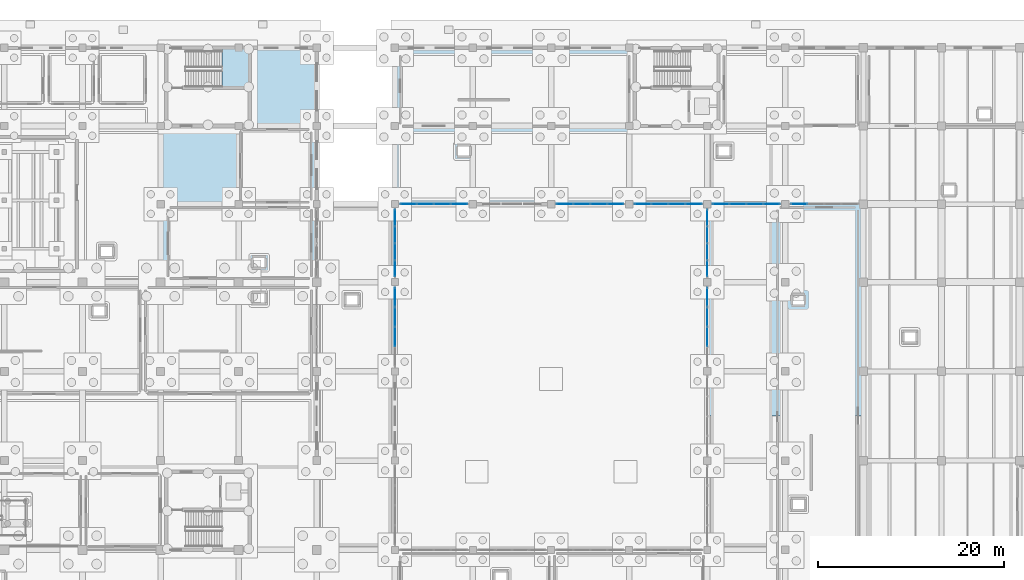
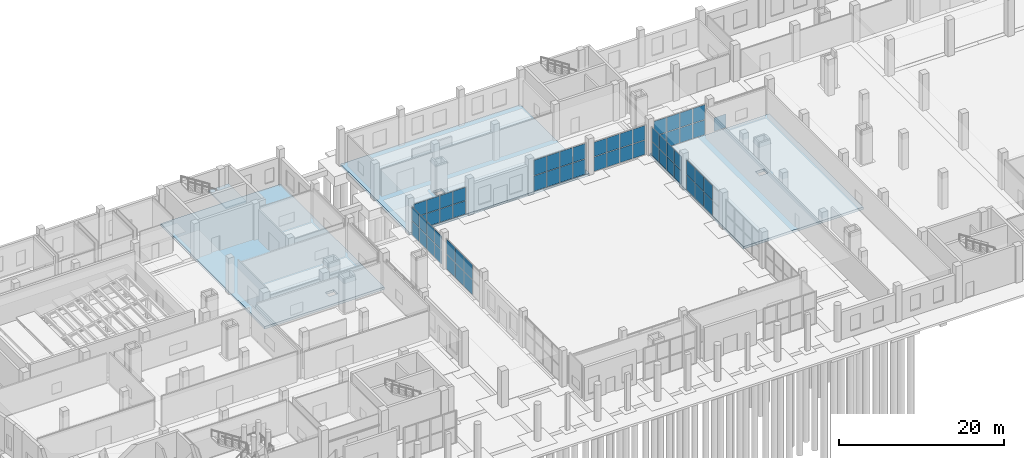
# One storey, part 34 of 65: 61 plates, 4 slabs, 10 elements without a shape of their own.
"""IFC4 building model written with IfcOpenShell, lengths in metres."""

from ifc_helpers import new_model, si_unit, direction, frame, origin, origin_2d, place, context, subcontext, project, spatial, polyline, rectangle, outline, extrude, material, layer, layer_set, type_object, element, aggregate, save


model = new_model("IFC4")

# Units and contexts
model_context = context("Model", 3, precision=1e-05, world=origin(), true_north=direction((0.0, 1.0)))
body_context = subcontext(model_context, "Body", "Model", "MODEL_VIEW")
ifc_project = project(units=[si_unit("LENGTHUNIT", "METRE"), si_unit("AREAUNIT", "SQUARE_METRE"), si_unit("VOLUMEUNIT", "CUBIC_METRE"), si_unit("PLANEANGLEUNIT", "RADIAN"), si_unit("MASSUNIT", "GRAM", prefix="KILO")], contexts=[model_context])

# Site, building, storey
site_placement = place(None, origin())
site = spatial("IfcSite", under=ifc_project, at=site_placement, CompositionType="ELEMENT")
building_placement = place(site_placement, origin())
building = spatial("IfcBuilding", under=site, at=building_placement, Name="Zulmaris Art Gallery", CompositionType="ELEMENT")
storey_placement = place(building_placement, origin())
storey = spatial("IfcBuildingStorey", under=building, at=storey_placement, Name="L00", CompositionType="ELEMENT", Elevation=0.0)

# Curtain wall, plates
ifc_material_1 = material(Name="Cloister & Court Glazed Curtain Wall", Category="aluminium")
ifc_layer_1 = layer(ifc_material_1, 0.179931640625)
ifc_layer_set_1 = layer_set([ifc_layer_1], Name="Cloister & Court Glazed Curtain Wall")
curtain_wall_type_1 = type_object("IfcCurtainWallType", Name="CW-CW03", PredefinedType="NOTDEFINED", material=ifc_layer_set_1)
curtain_wall_1_placement = place(storey_placement, origin())
curtain_wall_1 = element("IfcCurtainWall", 1, at=curtain_wall_1_placement, inside=storey, type_object=curtain_wall_type_1, Name="L00 curtain wall 68", PredefinedType="NOTDEFINED")
ifc_material_2 = material(Name="Triple Solar-Control Laminated Glass", Category="glass")
ifc_layer_2 = layer(ifc_material_2, 0.035888671875)
ifc_layer_set_2 = layer_set([ifc_layer_2], Name="Triple Solar-Control Laminated Glass")
plate_type = type_object("IfcPlateType", Name="CWPAN-GLZ", PredefinedType="CURTAIN_PANEL", material=ifc_layer_set_2)
plate_1_placement = place(storey_placement, frame((91.199951171875, 48.7763671875, 0.074951171875), z_axis=(0.0, 0.0, 1.0), x_axis=(0.0, -1.0, 0.0)))
plate_1 = element("IfcPlate", 2, at=plate_1_placement, type_object=plate_type, Name="CW03 panel 1.1", PredefinedType="CURTAIN_PANEL", context=body_context, shape_type="SweptSolid", body=[
    extrude(rectangle(XDim=2.017578125, YDim=0.031982421875, at=origin_2d()), origin(), (0.0, 0.0, 1.0), 2.1826171875),
])
plate_2_placement = place(storey_placement, frame((91.199951171875, 48.7763671875, 2.33251953125), z_axis=(0.0, 0.0, 1.0), x_axis=(0.0, -1.0, 0.0)))
plate_2 = element("IfcPlate", 3, at=plate_2_placement, type_object=plate_type, Name="CW03 panel 1.2", PredefinedType="CURTAIN_PANEL", context=body_context, shape_type="SweptSolid", body=[
    extrude(rectangle(XDim=2.017578125, YDim=0.031982421875, at=origin_2d()), origin(), (0.0, 0.0, 1.0), 2.1826171875),
])
plate_3_placement = place(storey_placement, frame((91.199951171875, 46.6650390625, 0.074951171875), z_axis=(0.0, 0.0, 1.0), x_axis=(0.0, -1.0, 0.0)))
plate_3 = element("IfcPlate", 4, at=plate_3_placement, type_object=plate_type, Name="CW03 panel 2.1", PredefinedType="CURTAIN_PANEL", context=body_context, shape_type="SweptSolid", body=[
    extrude(rectangle(XDim=2.054931640625, YDim=0.031982421875, at=origin_2d()), origin(), (0.0, 0.0, 1.0), 2.1826171875),
])
plate_4_placement = place(storey_placement, frame((91.199951171875, 46.6650390625, 2.33251953125), z_axis=(0.0, 0.0, 1.0), x_axis=(0.0, -1.0, 0.0)))
plate_4 = element("IfcPlate", 5, at=plate_4_placement, type_object=plate_type, Name="CW03 panel 2.2", PredefinedType="CURTAIN_PANEL", context=body_context, shape_type="SweptSolid", body=[
    extrude(rectangle(XDim=2.054931640625, YDim=0.031982421875, at=origin_2d()), origin(), (0.0, 0.0, 1.0), 2.1826171875),
])
plate_5_placement = place(storey_placement, frame((91.199951171875, 44.534912109375, 0.074951171875), z_axis=(0.0, 0.0, 1.0), x_axis=(0.0, -1.0, 0.0)))
plate_5 = element("IfcPlate", 6, at=plate_5_placement, type_object=plate_type, Name="CW03 panel 3.1", PredefinedType="CURTAIN_PANEL", context=body_context, shape_type="SweptSolid", body=[
    extrude(rectangle(XDim=2.054931640625, YDim=0.031982421875, at=origin_2d()), origin(), (0.0, 0.0, 1.0), 2.1826171875),
])
plate_6_placement = place(storey_placement, frame((91.199951171875, 44.534912109375, 2.33251953125), z_axis=(0.0, 0.0, 1.0), x_axis=(0.0, -1.0, 0.0)))
plate_6 = element("IfcPlate", 7, at=plate_6_placement, type_object=plate_type, Name="CW03 panel 3.2", PredefinedType="CURTAIN_PANEL", context=body_context, shape_type="SweptSolid", body=[
    extrude(rectangle(XDim=2.054931640625, YDim=0.031982421875, at=origin_2d()), origin(), (0.0, 0.0, 1.0), 2.1826171875),
])
aggregate(curtain_wall_1, [plate_1, plate_2, plate_3, plate_4, plate_5, plate_6])

curtain_wall_2_placement = place(storey_placement, origin())
curtain_wall_2 = element("IfcCurtainWall", 8, at=curtain_wall_2_placement, inside=storey, type_object=curtain_wall_type_1, Name="L00 curtain wall 70", PredefinedType="NOTDEFINED")
plate_7_placement = place(storey_placement, frame((91.199951171875, 57.326171875, 0.0751953125), z_axis=(0.0, 0.0, 1.0), x_axis=(0.0, -1.0, 0.0)))
plate_7 = element("IfcPlate", 9, at=plate_7_placement, type_object=plate_type, Name="CW03 panel 1.1", PredefinedType="CURTAIN_PANEL", context=body_context, shape_type="SweptSolid", body=[
    extrude(rectangle(XDim=1.717529296875, YDim=0.031982421875, at=origin_2d()), origin(), (0.0, 0.0, 1.0), 2.032470703125),
])
plate_8_placement = place(storey_placement, frame((91.199951171875, 57.326171875, 2.1826171875), z_axis=(0.0, 0.0, 1.0), x_axis=(0.0, -1.0, 0.0)))
plate_8 = element("IfcPlate", 10, at=plate_8_placement, type_object=plate_type, Name="CW03 panel 1.2", PredefinedType="CURTAIN_PANEL", context=body_context, shape_type="SweptSolid", body=[
    extrude(rectangle(XDim=1.717529296875, YDim=0.031982421875, at=origin_2d()), origin(), (0.0, 0.0, 1.0), 2.032470703125),
])
plate_9_placement = place(storey_placement, frame((91.199951171875, 55.514892578125, 0.0751953125), z_axis=(0.0, 0.0, 1.0), x_axis=(0.0, -1.0, 0.0)))
plate_9 = element("IfcPlate", 11, at=plate_9_placement, type_object=plate_type, Name="CW03 panel 2.1", PredefinedType="CURTAIN_PANEL", context=body_context, shape_type="SweptSolid", body=[
    extrude(rectangle(XDim=1.7548828125, YDim=0.031982421875, at=origin_2d()), origin(), (0.0, 0.0, 1.0), 2.032470703125),
])
plate_10_placement = place(storey_placement, frame((91.199951171875, 55.514892578125, 2.1826171875), z_axis=(0.0, 0.0, 1.0), x_axis=(0.0, -1.0, 0.0)))
plate_10 = element("IfcPlate", 12, at=plate_10_placement, type_object=plate_type, Name="CW03 panel 2.2", PredefinedType="CURTAIN_PANEL", context=body_context, shape_type="SweptSolid", body=[
    extrude(rectangle(XDim=1.7548828125, YDim=0.031982421875, at=origin_2d()), origin(), (0.0, 0.0, 1.0), 2.032470703125),
])
plate_11_placement = place(storey_placement, frame((91.199951171875, 53.68505859375, 0.0751953125), z_axis=(0.0, 0.0, 1.0), x_axis=(0.0, -1.0, 0.0)))
plate_11 = element("IfcPlate", 13, at=plate_11_placement, type_object=plate_type, Name="CW03 panel 3.1", PredefinedType="CURTAIN_PANEL", context=body_context, shape_type="SweptSolid", body=[
    extrude(rectangle(XDim=1.7548828125, YDim=0.031982421875, at=origin_2d()), origin(), (0.0, 0.0, 1.0), 2.032470703125),
])
plate_12_placement = place(storey_placement, frame((91.199951171875, 53.68505859375, 2.1826171875), z_axis=(0.0, 0.0, 1.0), x_axis=(0.0, -1.0, 0.0)))
plate_12 = element("IfcPlate", 14, at=plate_12_placement, type_object=plate_type, Name="CW03 panel 3.2", PredefinedType="CURTAIN_PANEL", context=body_context, shape_type="SweptSolid", body=[
    extrude(rectangle(XDim=1.7548828125, YDim=0.031982421875, at=origin_2d()), origin(), (0.0, 0.0, 1.0), 2.032470703125),
])
plate_13_placement = place(storey_placement, frame((91.199951171875, 51.873779296875, 0.0751953125), z_axis=(0.0, 0.0, 1.0), x_axis=(0.0, -1.0, 0.0)))
plate_13 = element("IfcPlate", 15, at=plate_13_placement, type_object=plate_type, Name="CW03 panel 4.1", PredefinedType="CURTAIN_PANEL", context=body_context, shape_type="SweptSolid", body=[
    extrude(rectangle(XDim=1.717529296875, YDim=0.031982421875, at=origin_2d()), origin(), (0.0, 0.0, 1.0), 2.032470703125),
])
plate_14_placement = place(storey_placement, frame((91.199951171875, 51.873779296875, 2.1826171875), z_axis=(0.0, 0.0, 1.0), x_axis=(0.0, -1.0, 0.0)))
plate_14 = element("IfcPlate", 16, at=plate_14_placement, type_object=plate_type, Name="CW03 panel 4.2", PredefinedType="CURTAIN_PANEL", context=body_context, shape_type="SweptSolid", body=[
    extrude(rectangle(XDim=1.717529296875, YDim=0.031982421875, at=origin_2d()), origin(), (0.0, 0.0, 1.0), 2.032470703125),
])
aggregate(curtain_wall_2, [plate_7, plate_8, plate_9, plate_10, plate_11, plate_12, plate_13, plate_14])

ifc_material_3 = material(Name="Unitised Low-E Gallery Curtain Wall", Category="aluminium")
ifc_layer_3 = layer(ifc_material_3, 0.179931640625)
ifc_layer_set_3 = layer_set([ifc_layer_3], Name="Unitised Low-E Gallery Curtain Wall")
curtain_wall_type_2 = type_object("IfcCurtainWallType", Name="CW-CW01", PredefinedType="NOTDEFINED", material=ifc_layer_set_3)
curtain_wall_3_placement = place(storey_placement, origin())
curtain_wall_3 = element("IfcCurtainWall", 17, at=curtain_wall_3_placement, inside=storey, type_object=curtain_wall_type_2, Name="L00 curtain wall 85", PredefinedType="NOTDEFINED")
plate_15_placement = place(storey_placement, frame((92.673828125, 58.800048828125, 0.074951171875), z_axis=(0.0, 0.0, 1.0), x_axis=(1.0, 0.0, 0.0)))
plate_15 = element("IfcPlate", 18, at=plate_15_placement, type_object=plate_type, Name="CW01 panel 1.1", PredefinedType="CURTAIN_PANEL", context=body_context, shape_type="SweptSolid", body=[
    extrude(rectangle(XDim=1.717529296875, YDim=0.031982421875, at=origin_2d()), origin(), (0.0, 0.0, 1.0), 1.9326171875),
])
plate_16_placement = place(storey_placement, frame((92.673828125, 58.800048828125, 2.08251953125), z_axis=(0.0, 0.0, 1.0), x_axis=(1.0, 0.0, 0.0)))
plate_16 = element("IfcPlate", 19, at=plate_16_placement, type_object=plate_type, Name="CW01 panel 1.2", PredefinedType="CURTAIN_PANEL", context=body_context, shape_type="SweptSolid", body=[
    extrude(rectangle(XDim=1.717529296875, YDim=0.031982421875, at=origin_2d()), origin(), (0.0, 0.0, 1.0), 1.9326171875),
])
plate_17_placement = place(storey_placement, frame((94.485107421875, 58.800048828125, 0.074951171875), z_axis=(0.0, 0.0, 1.0), x_axis=(1.0, 0.0, 0.0)))
plate_17 = element("IfcPlate", 20, at=plate_17_placement, type_object=plate_type, Name="CW01 panel 2.1", PredefinedType="CURTAIN_PANEL", context=body_context, shape_type="SweptSolid", body=[
    extrude(rectangle(XDim=1.7548828125, YDim=0.031982421875, at=origin_2d()), origin(), (0.0, 0.0, 1.0), 1.9326171875),
])
plate_18_placement = place(storey_placement, frame((94.485107421875, 58.800048828125, 2.08251953125), z_axis=(0.0, 0.0, 1.0), x_axis=(1.0, 0.0, 0.0)))
plate_18 = element("IfcPlate", 21, at=plate_18_placement, type_object=plate_type, Name="CW01 panel 2.2", PredefinedType="CURTAIN_PANEL", context=body_context, shape_type="SweptSolid", body=[
    extrude(rectangle(XDim=1.7548828125, YDim=0.031982421875, at=origin_2d()), origin(), (0.0, 0.0, 1.0), 1.9326171875),
])
plate_19_placement = place(storey_placement, frame((96.31494140625, 58.800048828125, 0.074951171875), z_axis=(0.0, 0.0, 1.0), x_axis=(1.0, 0.0, 0.0)))
plate_19 = element("IfcPlate", 22, at=plate_19_placement, type_object=plate_type, Name="CW01 panel 3.1", PredefinedType="CURTAIN_PANEL", context=body_context, shape_type="SweptSolid", body=[
    extrude(rectangle(XDim=1.7548828125, YDim=0.031982421875, at=origin_2d()), origin(), (0.0, 0.0, 1.0), 1.9326171875),
])
plate_20_placement = place(storey_placement, frame((96.31494140625, 58.800048828125, 2.08251953125), z_axis=(0.0, 0.0, 1.0), x_axis=(1.0, 0.0, 0.0)))
plate_20 = element("IfcPlate", 23, at=plate_20_placement, type_object=plate_type, Name="CW01 panel 3.2", PredefinedType="CURTAIN_PANEL", context=body_context, shape_type="SweptSolid", body=[
    extrude(rectangle(XDim=1.7548828125, YDim=0.031982421875, at=origin_2d()), origin(), (0.0, 0.0, 1.0), 1.9326171875),
])
plate_21_placement = place(storey_placement, frame((98.126220703125, 58.800048828125, 0.074951171875), z_axis=(0.0, 0.0, 1.0), x_axis=(1.0, 0.0, 0.0)))
plate_21 = element("IfcPlate", 24, at=plate_21_placement, type_object=plate_type, Name="CW01 panel 4.1", PredefinedType="CURTAIN_PANEL", context=body_context, shape_type="SweptSolid", body=[
    extrude(rectangle(XDim=1.717529296875, YDim=0.031982421875, at=origin_2d()), origin(), (0.0, 0.0, 1.0), 1.9326171875),
])
plate_22_placement = place(storey_placement, frame((98.126220703125, 58.800048828125, 2.08251953125), z_axis=(0.0, 0.0, 1.0), x_axis=(1.0, 0.0, 0.0)))
plate_22 = element("IfcPlate", 25, at=plate_22_placement, type_object=plate_type, Name="CW01 panel 4.2", PredefinedType="CURTAIN_PANEL", context=body_context, shape_type="SweptSolid", body=[
    extrude(rectangle(XDim=1.717529296875, YDim=0.031982421875, at=origin_2d()), origin(), (0.0, 0.0, 1.0), 1.9326171875),
])
aggregate(curtain_wall_3, [plate_15, plate_16, plate_17, plate_18, plate_19, plate_20, plate_21, plate_22])

curtain_wall_4_placement = place(storey_placement, origin())
curtain_wall_4 = element("IfcCurtainWall", 26, at=curtain_wall_4_placement, inside=storey, type_object=curtain_wall_type_2, Name="L00 curtain wall 86", PredefinedType="NOTDEFINED")
plate_23_placement = place(storey_placement, frame((109.4736328125, 58.800048828125, 0.0751953125), z_axis=(0.0, 0.0, 1.0), x_axis=(1.0, 0.0, 0.0)))
plate_23 = element("IfcPlate", 27, at=plate_23_placement, type_object=plate_type, Name="CW01 panel 1.1", PredefinedType="CURTAIN_PANEL", context=body_context, shape_type="SweptSolid", body=[
    extrude(rectangle(XDim=1.717529296875, YDim=0.031982421875, at=origin_2d()), origin(), (0.0, 0.0, 1.0), 2.242431640625),
])
plate_24_placement = place(storey_placement, frame((109.4736328125, 58.800048828125, 2.392578125), z_axis=(0.0, 0.0, 1.0), x_axis=(1.0, 0.0, 0.0)))
plate_24 = element("IfcPlate", 28, at=plate_24_placement, type_object=plate_type, Name="CW01 panel 1.2", PredefinedType="CURTAIN_PANEL", context=body_context, shape_type="SweptSolid", body=[
    extrude(rectangle(XDim=1.717529296875, YDim=0.031982421875, at=origin_2d()), origin(), (0.0, 0.0, 1.0), 2.242431640625),
])
plate_25_placement = place(storey_placement, frame((111.284912109375, 58.800048828125, 0.0751953125), z_axis=(0.0, 0.0, 1.0), x_axis=(1.0, 0.0, 0.0)))
plate_25 = element("IfcPlate", 29, at=plate_25_placement, type_object=plate_type, Name="CW01 panel 2.1", PredefinedType="CURTAIN_PANEL", context=body_context, shape_type="SweptSolid", body=[
    extrude(rectangle(XDim=1.7548828125, YDim=0.031982421875, at=origin_2d()), origin(), (0.0, 0.0, 1.0), 2.242431640625),
])
plate_26_placement = place(storey_placement, frame((111.284912109375, 58.800048828125, 2.392578125), z_axis=(0.0, 0.0, 1.0), x_axis=(1.0, 0.0, 0.0)))
plate_26 = element("IfcPlate", 30, at=plate_26_placement, type_object=plate_type, Name="CW01 panel 2.2", PredefinedType="CURTAIN_PANEL", context=body_context, shape_type="SweptSolid", body=[
    extrude(rectangle(XDim=1.7548828125, YDim=0.031982421875, at=origin_2d()), origin(), (0.0, 0.0, 1.0), 2.242431640625),
])
plate_27_placement = place(storey_placement, frame((113.114990234375, 58.800048828125, 0.0751953125), z_axis=(0.0, 0.0, 1.0), x_axis=(1.0, 0.0, 0.0)))
plate_27 = element("IfcPlate", 31, at=plate_27_placement, type_object=plate_type, Name="CW01 panel 3.1", PredefinedType="CURTAIN_PANEL", context=body_context, shape_type="SweptSolid", body=[
    extrude(rectangle(XDim=1.7548828125, YDim=0.031982421875, at=origin_2d()), origin(), (0.0, 0.0, 1.0), 2.242431640625),
])
plate_28_placement = place(storey_placement, frame((113.114990234375, 58.800048828125, 2.392578125), z_axis=(0.0, 0.0, 1.0), x_axis=(1.0, 0.0, 0.0)))
plate_28 = element("IfcPlate", 32, at=plate_28_placement, type_object=plate_type, Name="CW01 panel 3.2", PredefinedType="CURTAIN_PANEL", context=body_context, shape_type="SweptSolid", body=[
    extrude(rectangle(XDim=1.7548828125, YDim=0.031982421875, at=origin_2d()), origin(), (0.0, 0.0, 1.0), 2.242431640625),
])
plate_29_placement = place(storey_placement, frame((114.92626953125, 58.800048828125, 0.0751953125), z_axis=(0.0, 0.0, 1.0), x_axis=(1.0, 0.0, 0.0)))
plate_29 = element("IfcPlate", 33, at=plate_29_placement, type_object=plate_type, Name="CW01 panel 4.1", PredefinedType="CURTAIN_PANEL", context=body_context, shape_type="SweptSolid", body=[
    extrude(rectangle(XDim=1.717529296875, YDim=0.031982421875, at=origin_2d()), origin(), (0.0, 0.0, 1.0), 2.242431640625),
])
plate_30_placement = place(storey_placement, frame((114.92626953125, 58.800048828125, 2.392578125), z_axis=(0.0, 0.0, 1.0), x_axis=(1.0, 0.0, 0.0)))
plate_30 = element("IfcPlate", 34, at=plate_30_placement, type_object=plate_type, Name="CW01 panel 4.2", PredefinedType="CURTAIN_PANEL", context=body_context, shape_type="SweptSolid", body=[
    extrude(rectangle(XDim=1.717529296875, YDim=0.031982421875, at=origin_2d()), origin(), (0.0, 0.0, 1.0), 2.242431640625),
])
aggregate(curtain_wall_4, [plate_23, plate_24, plate_25, plate_26, plate_27, plate_28, plate_29, plate_30])

curtain_wall_5_placement = place(storey_placement, origin())
curtain_wall_5 = element("IfcCurtainWall", 35, at=curtain_wall_5_placement, inside=storey, type_object=curtain_wall_type_2, Name="L00 curtain wall 87", PredefinedType="NOTDEFINED")
plate_31_placement = place(storey_placement, frame((117.873779296875, 58.800048828125, 0.074951171875), z_axis=(0.0, 0.0, 1.0), x_axis=(1.0, 0.0, 0.0)))
plate_31 = element("IfcPlate", 36, at=plate_31_placement, type_object=plate_type, Name="CW01 panel 1.1", PredefinedType="CURTAIN_PANEL", context=body_context, shape_type="SweptSolid", body=[
    extrude(rectangle(XDim=1.717529296875, YDim=0.031982421875, at=origin_2d()), origin(), (0.0, 0.0, 1.0), 2.107421875),
])
plate_32_placement = place(storey_placement, frame((117.873779296875, 58.800048828125, 2.257568359375), z_axis=(0.0, 0.0, 1.0), x_axis=(1.0, 0.0, 0.0)))
plate_32 = element("IfcPlate", 37, at=plate_32_placement, type_object=plate_type, Name="CW01 panel 1.2", PredefinedType="CURTAIN_PANEL", context=body_context, shape_type="SweptSolid", body=[
    extrude(rectangle(XDim=1.717529296875, YDim=0.031982421875, at=origin_2d()), origin(), (0.0, 0.0, 1.0), 2.107421875),
])
plate_33_placement = place(storey_placement, frame((119.68505859375, 58.800048828125, 0.074951171875), z_axis=(0.0, 0.0, 1.0), x_axis=(1.0, 0.0, 0.0)))
plate_33 = element("IfcPlate", 38, at=plate_33_placement, type_object=plate_type, Name="CW01 panel 2.1", PredefinedType="CURTAIN_PANEL", context=body_context, shape_type="SweptSolid", body=[
    extrude(rectangle(XDim=1.7548828125, YDim=0.031982421875, at=origin_2d()), origin(), (0.0, 0.0, 1.0), 2.107421875),
])
plate_34_placement = place(storey_placement, frame((119.68505859375, 58.800048828125, 2.257568359375), z_axis=(0.0, 0.0, 1.0), x_axis=(1.0, 0.0, 0.0)))
plate_34 = element("IfcPlate", 39, at=plate_34_placement, type_object=plate_type, Name="CW01 panel 2.2", PredefinedType="CURTAIN_PANEL", context=body_context, shape_type="SweptSolid", body=[
    extrude(rectangle(XDim=1.7548828125, YDim=0.031982421875, at=origin_2d()), origin(), (0.0, 0.0, 1.0), 2.107421875),
])
plate_35_placement = place(storey_placement, frame((121.514892578125, 58.800048828125, 0.074951171875), z_axis=(0.0, 0.0, 1.0), x_axis=(1.0, 0.0, 0.0)))
plate_35 = element("IfcPlate", 40, at=plate_35_placement, type_object=plate_type, Name="CW01 panel 3.1", PredefinedType="CURTAIN_PANEL", context=body_context, shape_type="SweptSolid", body=[
    extrude(rectangle(XDim=1.7548828125, YDim=0.031982421875, at=origin_2d()), origin(), (0.0, 0.0, 1.0), 2.107421875),
])
plate_36_placement = place(storey_placement, frame((121.514892578125, 58.800048828125, 2.257568359375), z_axis=(0.0, 0.0, 1.0), x_axis=(1.0, 0.0, 0.0)))
plate_36 = element("IfcPlate", 41, at=plate_36_placement, type_object=plate_type, Name="CW01 panel 3.2", PredefinedType="CURTAIN_PANEL", context=body_context, shape_type="SweptSolid", body=[
    extrude(rectangle(XDim=1.7548828125, YDim=0.031982421875, at=origin_2d()), origin(), (0.0, 0.0, 1.0), 2.107421875),
])
plate_37_placement = place(storey_placement, frame((123.326171875, 58.800048828125, 0.074951171875), z_axis=(0.0, 0.0, 1.0), x_axis=(1.0, 0.0, 0.0)))
plate_37 = element("IfcPlate", 42, at=plate_37_placement, type_object=plate_type, Name="CW01 panel 4.1", PredefinedType="CURTAIN_PANEL", context=body_context, shape_type="SweptSolid", body=[
    extrude(rectangle(XDim=1.717529296875, YDim=0.031982421875, at=origin_2d()), origin(), (0.0, 0.0, 1.0), 2.107421875),
])
plate_38_placement = place(storey_placement, frame((123.326171875, 58.800048828125, 2.257568359375), z_axis=(0.0, 0.0, 1.0), x_axis=(1.0, 0.0, 0.0)))
plate_38 = element("IfcPlate", 43, at=plate_38_placement, type_object=plate_type, Name="CW01 panel 4.2", PredefinedType="CURTAIN_PANEL", context=body_context, shape_type="SweptSolid", body=[
    extrude(rectangle(XDim=1.717529296875, YDim=0.031982421875, at=origin_2d()), origin(), (0.0, 0.0, 1.0), 2.107421875),
])
aggregate(curtain_wall_5, [plate_31, plate_32, plate_33, plate_34, plate_35, plate_36, plate_37, plate_38])

curtain_wall_6_placement = place(storey_placement, origin())
curtain_wall_6 = element("IfcCurtainWall", 44, at=curtain_wall_6_placement, inside=storey, type_object=curtain_wall_type_2, Name="L00 curtain wall 88", PredefinedType="NOTDEFINED")
plate_39_placement = place(storey_placement, frame((126.273681640625, 58.800048828125, 0.074951171875), z_axis=(0.0, 0.0, 1.0), x_axis=(1.0, 0.0, 0.0)))
plate_39 = element("IfcPlate", 45, at=plate_39_placement, type_object=plate_type, Name="CW01 panel 1.1", PredefinedType="CURTAIN_PANEL", context=body_context, shape_type="SweptSolid", body=[
    extrude(rectangle(XDim=1.717529296875, YDim=0.031982421875, at=origin_2d()), origin(), (0.0, 0.0, 1.0), 2.1826171875),
])
plate_40_placement = place(storey_placement, frame((126.273681640625, 58.800048828125, 2.33251953125), z_axis=(0.0, 0.0, 1.0), x_axis=(1.0, 0.0, 0.0)))
plate_40 = element("IfcPlate", 46, at=plate_40_placement, type_object=plate_type, Name="CW01 panel 1.2", PredefinedType="CURTAIN_PANEL", context=body_context, shape_type="SweptSolid", body=[
    extrude(rectangle(XDim=1.717529296875, YDim=0.031982421875, at=origin_2d()), origin(), (0.0, 0.0, 1.0), 2.1826171875),
])
plate_41_placement = place(storey_placement, frame((128.0849609375, 58.800048828125, 0.074951171875), z_axis=(0.0, 0.0, 1.0), x_axis=(1.0, 0.0, 0.0)))
plate_41 = element("IfcPlate", 47, at=plate_41_placement, type_object=plate_type, Name="CW01 panel 2.1", PredefinedType="CURTAIN_PANEL", context=body_context, shape_type="SweptSolid", body=[
    extrude(rectangle(XDim=1.7548828125, YDim=0.031982421875, at=origin_2d()), origin(), (0.0, 0.0, 1.0), 2.1826171875),
])
plate_42_placement = place(storey_placement, frame((128.0849609375, 58.800048828125, 2.33251953125), z_axis=(0.0, 0.0, 1.0), x_axis=(1.0, 0.0, 0.0)))
plate_42 = element("IfcPlate", 48, at=plate_42_placement, type_object=plate_type, Name="CW01 panel 2.2", PredefinedType="CURTAIN_PANEL", context=body_context, shape_type="SweptSolid", body=[
    extrude(rectangle(XDim=1.7548828125, YDim=0.031982421875, at=origin_2d()), origin(), (0.0, 0.0, 1.0), 2.1826171875),
])
plate_43_placement = place(storey_placement, frame((129.9150390625, 58.800048828125, 0.074951171875), z_axis=(0.0, 0.0, 1.0), x_axis=(1.0, 0.0, 0.0)))
plate_43 = element("IfcPlate", 49, at=plate_43_placement, type_object=plate_type, Name="CW01 panel 3.1", PredefinedType="CURTAIN_PANEL", context=body_context, shape_type="SweptSolid", body=[
    extrude(rectangle(XDim=1.7548828125, YDim=0.031982421875, at=origin_2d()), origin(), (0.0, 0.0, 1.0), 2.1826171875),
])
plate_44_placement = place(storey_placement, frame((129.9150390625, 58.800048828125, 2.33251953125), z_axis=(0.0, 0.0, 1.0), x_axis=(1.0, 0.0, 0.0)))
plate_44 = element("IfcPlate", 50, at=plate_44_placement, type_object=plate_type, Name="CW01 panel 3.2", PredefinedType="CURTAIN_PANEL", context=body_context, shape_type="SweptSolid", body=[
    extrude(rectangle(XDim=1.7548828125, YDim=0.031982421875, at=origin_2d()), origin(), (0.0, 0.0, 1.0), 2.1826171875),
])
plate_45_placement = place(storey_placement, frame((131.726318359375, 58.800048828125, 0.074951171875), z_axis=(0.0, 0.0, 1.0), x_axis=(1.0, 0.0, 0.0)))
plate_45 = element("IfcPlate", 51, at=plate_45_placement, type_object=plate_type, Name="CW01 panel 4.1", PredefinedType="CURTAIN_PANEL", context=body_context, shape_type="SweptSolid", body=[
    extrude(rectangle(XDim=1.717529296875, YDim=0.031982421875, at=origin_2d()), origin(), (0.0, 0.0, 1.0), 2.1826171875),
])
plate_46_placement = place(storey_placement, frame((131.726318359375, 58.800048828125, 2.33251953125), z_axis=(0.0, 0.0, 1.0), x_axis=(1.0, 0.0, 0.0)))
plate_46 = element("IfcPlate", 52, at=plate_46_placement, type_object=plate_type, Name="CW01 panel 4.2", PredefinedType="CURTAIN_PANEL", context=body_context, shape_type="SweptSolid", body=[
    extrude(rectangle(XDim=1.717529296875, YDim=0.031982421875, at=origin_2d()), origin(), (0.0, 0.0, 1.0), 2.1826171875),
])
aggregate(curtain_wall_6, [plate_39, plate_40, plate_41, plate_42, plate_43, plate_44, plate_45, plate_46])

# Curtain wall, plate
curtain_wall_7_placement = place(storey_placement, origin())
curtain_wall_7 = element("IfcCurtainWall", 53, at=curtain_wall_7_placement, inside=storey, type_object=curtain_wall_type_2, Name="L00 curtain wall 89", PredefinedType="NOTDEFINED")
plate_47_placement = place(storey_placement, frame((134.673828125, 58.800048828125, 0.0751953125), z_axis=(0.0, 0.0, 1.0), x_axis=(1.0, 0.0, 0.0)))
plate_47 = element("IfcPlate", 54, at=plate_47_placement, type_object=plate_type, Name="CW01 panel 1.1", PredefinedType="CURTAIN_PANEL", context=body_context, shape_type="SweptSolid", body=[
    extrude(rectangle(XDim=1.717529296875, YDim=0.031982421875, at=origin_2d()), origin(), (0.0, 0.0, 1.0), 2.032470703125),
])
aggregate(curtain_wall_7, [plate_47])

# Curtain wall, plates
curtain_wall_8_placement = place(storey_placement, origin())
curtain_wall_8 = element("IfcCurtainWall", 55, at=curtain_wall_8_placement, inside=storey, type_object=curtain_wall_type_2, Name="L00 curtain wall 92", PredefinedType="NOTDEFINED")
plate_48_placement = place(storey_placement, frame((124.800048828125, 44.534912109375, 0.074951171875), z_axis=(0.0, 0.0, 1.0), x_axis=(0.0, 1.0, 0.0)))
plate_48 = element("IfcPlate", 56, at=plate_48_placement, type_object=plate_type, Name="CW01 panel 2.1", PredefinedType="CURTAIN_PANEL", context=body_context, shape_type="SweptSolid", body=[
    extrude(rectangle(XDim=2.054931640625, YDim=0.031982421875, at=origin_2d()), origin(), (0.0, 0.0, 1.0), 2.1826171875),
])
plate_49_placement = place(storey_placement, frame((124.800048828125, 44.534912109375, 2.33251953125), z_axis=(0.0, 0.0, 1.0), x_axis=(0.0, 1.0, 0.0)))
plate_49 = element("IfcPlate", 57, at=plate_49_placement, type_object=plate_type, Name="CW01 panel 2.2", PredefinedType="CURTAIN_PANEL", context=body_context, shape_type="SweptSolid", body=[
    extrude(rectangle(XDim=2.054931640625, YDim=0.031982421875, at=origin_2d()), origin(), (0.0, 0.0, 1.0), 2.1826171875),
])
plate_50_placement = place(storey_placement, frame((124.800048828125, 46.6650390625, 0.074951171875), z_axis=(0.0, 0.0, 1.0), x_axis=(0.0, 1.0, 0.0)))
plate_50 = element("IfcPlate", 58, at=plate_50_placement, type_object=plate_type, Name="CW01 panel 3.1", PredefinedType="CURTAIN_PANEL", context=body_context, shape_type="SweptSolid", body=[
    extrude(rectangle(XDim=2.054931640625, YDim=0.031982421875, at=origin_2d()), origin(), (0.0, 0.0, 1.0), 2.1826171875),
])
plate_51_placement = place(storey_placement, frame((124.800048828125, 46.6650390625, 2.33251953125), z_axis=(0.0, 0.0, 1.0), x_axis=(0.0, 1.0, 0.0)))
plate_51 = element("IfcPlate", 59, at=plate_51_placement, type_object=plate_type, Name="CW01 panel 3.2", PredefinedType="CURTAIN_PANEL", context=body_context, shape_type="SweptSolid", body=[
    extrude(rectangle(XDim=2.054931640625, YDim=0.031982421875, at=origin_2d()), origin(), (0.0, 0.0, 1.0), 2.1826171875),
])
plate_52_placement = place(storey_placement, frame((124.800048828125, 48.7763671875, 0.074951171875), z_axis=(0.0, 0.0, 1.0), x_axis=(0.0, 1.0, 0.0)))
plate_52 = element("IfcPlate", 60, at=plate_52_placement, type_object=plate_type, Name="CW01 panel 4.1", PredefinedType="CURTAIN_PANEL", context=body_context, shape_type="SweptSolid", body=[
    extrude(rectangle(XDim=2.017578125, YDim=0.031982421875, at=origin_2d()), origin(), (0.0, 0.0, 1.0), 2.1826171875),
])
plate_53_placement = place(storey_placement, frame((124.800048828125, 48.7763671875, 2.33251953125), z_axis=(0.0, 0.0, 1.0), x_axis=(0.0, 1.0, 0.0)))
plate_53 = element("IfcPlate", 61, at=plate_53_placement, type_object=plate_type, Name="CW01 panel 4.2", PredefinedType="CURTAIN_PANEL", context=body_context, shape_type="SweptSolid", body=[
    extrude(rectangle(XDim=2.017578125, YDim=0.031982421875, at=origin_2d()), origin(), (0.0, 0.0, 1.0), 2.1826171875),
])
aggregate(curtain_wall_8, [plate_48, plate_49, plate_50, plate_51, plate_52, plate_53])

curtain_wall_9_placement = place(storey_placement, origin())
curtain_wall_9 = element("IfcCurtainWall", 62, at=curtain_wall_9_placement, inside=storey, type_object=curtain_wall_type_2, Name="L00 curtain wall 93", PredefinedType="NOTDEFINED")
plate_54_placement = place(storey_placement, frame((124.800048828125, 51.873779296875, 0.0751953125), z_axis=(0.0, 0.0, 1.0), x_axis=(0.0, 1.0, 0.0)))
plate_54 = element("IfcPlate", 63, at=plate_54_placement, type_object=plate_type, Name="CW01 panel 1.1", PredefinedType="CURTAIN_PANEL", context=body_context, shape_type="SweptSolid", body=[
    extrude(rectangle(XDim=1.717529296875, YDim=0.031982421875, at=origin_2d()), origin(), (0.0, 0.0, 1.0), 2.032470703125),
])
plate_55_placement = place(storey_placement, frame((124.800048828125, 51.873779296875, 2.1826171875), z_axis=(0.0, 0.0, 1.0), x_axis=(0.0, 1.0, 0.0)))
plate_55 = element("IfcPlate", 64, at=plate_55_placement, type_object=plate_type, Name="CW01 panel 1.2", PredefinedType="CURTAIN_PANEL", context=body_context, shape_type="SweptSolid", body=[
    extrude(rectangle(XDim=1.717529296875, YDim=0.031982421875, at=origin_2d()), origin(), (0.0, 0.0, 1.0), 2.032470703125),
])
plate_56_placement = place(storey_placement, frame((124.800048828125, 53.68505859375, 0.0751953125), z_axis=(0.0, 0.0, 1.0), x_axis=(0.0, 1.0, 0.0)))
plate_56 = element("IfcPlate", 65, at=plate_56_placement, type_object=plate_type, Name="CW01 panel 2.1", PredefinedType="CURTAIN_PANEL", context=body_context, shape_type="SweptSolid", body=[
    extrude(rectangle(XDim=1.7548828125, YDim=0.031982421875, at=origin_2d()), origin(), (0.0, 0.0, 1.0), 2.032470703125),
])
plate_57_placement = place(storey_placement, frame((124.800048828125, 53.68505859375, 2.1826171875), z_axis=(0.0, 0.0, 1.0), x_axis=(0.0, 1.0, 0.0)))
plate_57 = element("IfcPlate", 66, at=plate_57_placement, type_object=plate_type, Name="CW01 panel 2.2", PredefinedType="CURTAIN_PANEL", context=body_context, shape_type="SweptSolid", body=[
    extrude(rectangle(XDim=1.7548828125, YDim=0.031982421875, at=origin_2d()), origin(), (0.0, 0.0, 1.0), 2.032470703125),
])
plate_58_placement = place(storey_placement, frame((124.800048828125, 55.514892578125, 0.0751953125), z_axis=(0.0, 0.0, 1.0), x_axis=(0.0, 1.0, 0.0)))
plate_58 = element("IfcPlate", 67, at=plate_58_placement, type_object=plate_type, Name="CW01 panel 3.1", PredefinedType="CURTAIN_PANEL", context=body_context, shape_type="SweptSolid", body=[
    extrude(rectangle(XDim=1.7548828125, YDim=0.031982421875, at=origin_2d()), origin(), (0.0, 0.0, 1.0), 2.032470703125),
])
plate_59_placement = place(storey_placement, frame((124.800048828125, 55.514892578125, 2.1826171875), z_axis=(0.0, 0.0, 1.0), x_axis=(0.0, 1.0, 0.0)))
plate_59 = element("IfcPlate", 68, at=plate_59_placement, type_object=plate_type, Name="CW01 panel 3.2", PredefinedType="CURTAIN_PANEL", context=body_context, shape_type="SweptSolid", body=[
    extrude(rectangle(XDim=1.7548828125, YDim=0.031982421875, at=origin_2d()), origin(), (0.0, 0.0, 1.0), 2.032470703125),
])
plate_60_placement = place(storey_placement, frame((124.800048828125, 57.326171875, 0.0751953125), z_axis=(0.0, 0.0, 1.0), x_axis=(0.0, 1.0, 0.0)))
plate_60 = element("IfcPlate", 69, at=plate_60_placement, type_object=plate_type, Name="CW01 panel 4.1", PredefinedType="CURTAIN_PANEL", context=body_context, shape_type="SweptSolid", body=[
    extrude(rectangle(XDim=1.717529296875, YDim=0.031982421875, at=origin_2d()), origin(), (0.0, 0.0, 1.0), 2.032470703125),
])
plate_61_placement = place(storey_placement, frame((124.800048828125, 57.326171875, 2.1826171875), z_axis=(0.0, 0.0, 1.0), x_axis=(0.0, 1.0, 0.0)))
plate_61 = element("IfcPlate", 70, at=plate_61_placement, type_object=plate_type, Name="CW01 panel 4.2", PredefinedType="CURTAIN_PANEL", context=body_context, shape_type="SweptSolid", body=[
    extrude(rectangle(XDim=1.717529296875, YDim=0.031982421875, at=origin_2d()), origin(), (0.0, 0.0, 1.0), 2.032470703125),
])
aggregate(curtain_wall_9, [plate_54, plate_55, plate_56, plate_57, plate_58, plate_59, plate_60, plate_61])

# Slabs
ifc_material_4 = material(Name="Concrete C40/50", Category="concrete")
ifc_layer_4 = layer(ifc_material_4, 0.360107421875)
ifc_layer_set_4 = layer_set([ifc_layer_4], Name="Concrete C40/50")
slab_type_1 = type_object("IfcSlabType", Name="SLAB-SL-BS02", PredefinedType="BASESLAB", material=ifc_layer_set_4)
slab_1_placement = place(storey_placement, frame((0.0, 0.0, -0.360107421875)))
element("IfcSlab", 71, at=slab_1_placement, inside=storey, type_object=slab_type_1, Name="L00 V3-LRN slab", PredefinedType="BASESLAB", context=body_context, shape_type="SweptSolid", body=[
    extrude(outline(polyline([(66.0, 50.39990234375), (66.0, 75.60009765625), (82.800048828125, 75.60009765625), (82.800048828125, 50.39990234375), (66.0, 50.39990234375)]), holes=[polyline([(77.199951171875, 52.0), (77.199951171875, 53.0), (76.0, 53.0), (76.0, 52.0), (77.199951171875, 52.0)])]), origin(), (0.0, 0.0, 1.0), 0.360107421875),
])
slab_2_placement = place(storey_placement, frame((0.0, 0.0, -0.360107421875)))
element("IfcSlab", 72, at=slab_2_placement, inside=storey, type_object=slab_type_1, Name="L00 V4-NW slab", PredefinedType="BASESLAB", context=body_context, shape_type="SweptSolid", body=[
    extrude(outline(polyline([(91.199951171875, 58.800048828125), (91.199951171875, 75.60009765625), (116.39990234375, 75.60009765625), (116.39990234375, 58.800048828125), (91.199951171875, 58.800048828125)]), holes=[polyline([(99.199951171875, 64.0), (99.199951171875, 65.0), (98.0, 65.0), (98.0, 64.0), (99.199951171875, 64.0)])]), origin(), (0.0, 0.0, 1.0), 0.360107421875),
])
slab_3_placement = place(storey_placement, frame((0.0, 0.0, -0.360107421875)))
element("IfcSlab", 73, at=slab_3_placement, inside=storey, type_object=slab_type_1, Name="L00 V4-EN slab", PredefinedType="BASESLAB", context=body_context, shape_type="SweptSolid", body=[
    extrude(outline(polyline([(124.800048828125, 36.0), (124.800048828125, 58.800048828125), (141.60009765625, 58.800048828125), (141.60009765625, 36.0), (124.800048828125, 36.0)]), holes=[polyline([(135.199951171875, 48.0), (135.199951171875, 49.0), (134.0, 49.0), (134.0, 48.0), (135.199951171875, 48.0)])]), origin(), (0.0, 0.0, 1.0), 0.360107421875),
])

# Stair, slab
stair_type = type_object("IfcStairType", Name="STAIR-CORE", PredefinedType="HALF_TURN_STAIR", material=ifc_material_4)
stair_placement = place(storey_placement, origin())
stair = element("IfcStair", 74, at=stair_placement, inside=storey, type_object=stair_type, Name="L00 Exit Stair ST7", PredefinedType="HALF_TURN_STAIR")
ifc_layer_5 = layer(ifc_material_4, 0.2099609375)
ifc_layer_set_5 = layer_set([ifc_layer_5], Name="Concrete C40/50")
slab_type_2 = type_object("IfcSlabType", Name="SLAB-STLND", PredefinedType="LANDING", material=ifc_layer_set_5)
slab_4_placement = place(storey_placement, frame((0.0, 0.0, 2.5)))
slab_4 = element("IfcSlab", 75, at=slab_4_placement, type_object=slab_type_2, Name="ST7 landing 1", PredefinedType="LANDING", context=body_context, shape_type="SweptSolid", body=[
    extrude(outline(polyline([(72.6201171875, 71.18994140625), (75.449951171875, 71.18994140625), (75.449951171875, 75.469970703125), (72.6201171875, 75.469970703125), (72.6201171875, 71.18994140625)])), origin(), (0.0, 0.0, 1.0), 0.199951171875),
])
aggregate(stair, [slab_4])

save(model, "model.ifc")
